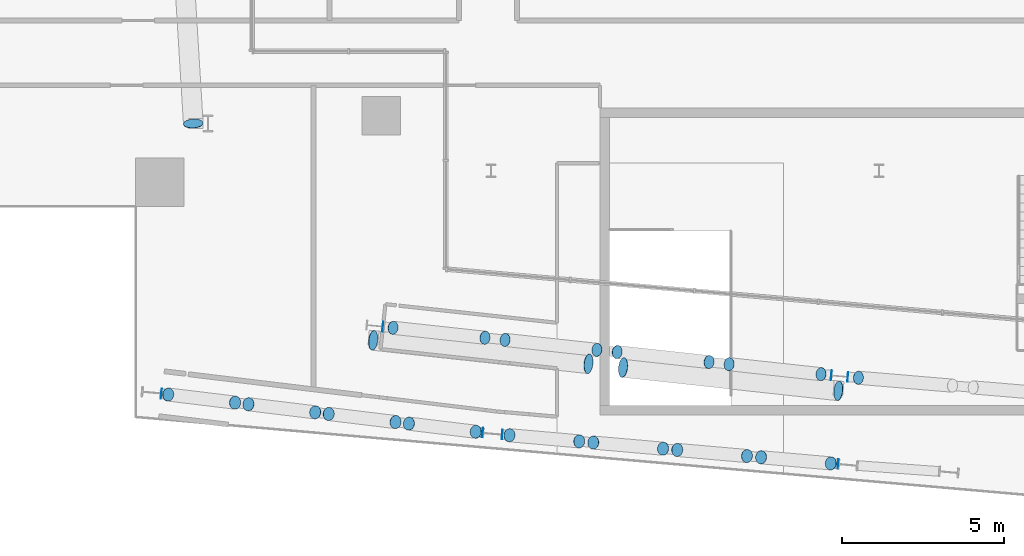
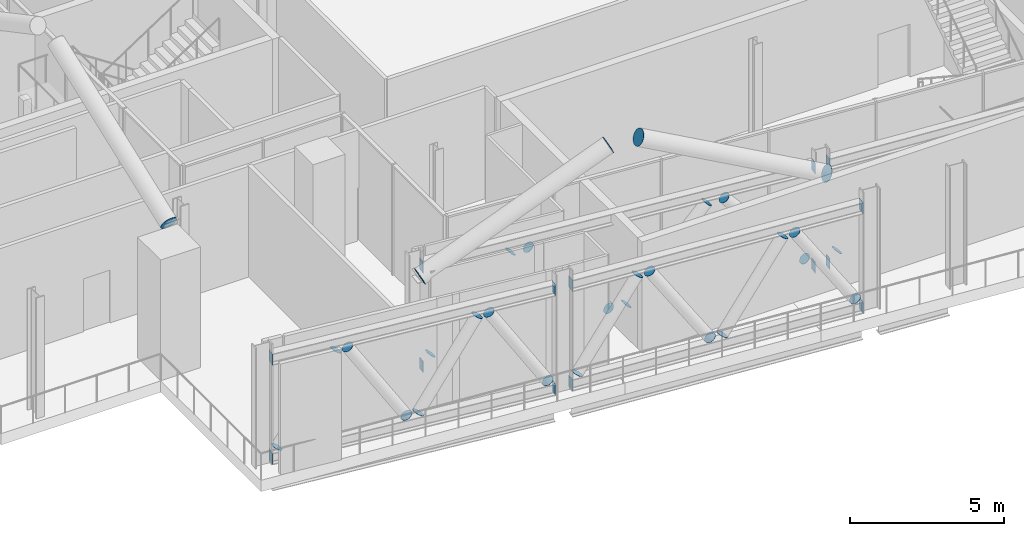
# One storey, part 20 of 35: 44 discrete accessories.
"""IFC4 building model written with IfcOpenShell, lengths in metres."""

from ifc_helpers import new_model, si_unit, direction, frame, origin, origin_2d, place, context, subcontext, project, spatial, rectangle, circle, extrude, material, material_profile, profile_set, type_object, element, save


model = new_model("IFC4")

# Units and contexts
model_context = context("Model", 3, precision=1e-05, world=origin(), true_north=direction((0.0, 1.0)))
body_context = subcontext(model_context, "Body", "Model", "MODEL_VIEW")
ifc_project = project(units=[si_unit("LENGTHUNIT", "METRE"), si_unit("AREAUNIT", "SQUARE_METRE"), si_unit("VOLUMEUNIT", "CUBIC_METRE"), si_unit("PLANEANGLEUNIT", "RADIAN"), si_unit("MASSUNIT", "GRAM", prefix="KILO")], contexts=[model_context])

# Site, building, storey
site_placement = place(None, origin())
site = spatial("IfcSite", under=ifc_project, at=site_placement, CompositionType="ELEMENT")
building_placement = place(site_placement, origin())
building = spatial("IfcBuilding", under=site, at=building_placement, Name="Wharfspan Tower", CompositionType="ELEMENT")
storey_placement = place(building_placement, frame((0.0, 0.0, 202.300049)))
storey = spatial("IfcBuildingStorey", under=building, at=storey_placement, Name="L50", CompositionType="ELEMENT", Elevation=202.300049)

# Discrete accessories
ifc_material_1 = material(Name="Steel S460NH", Category="steel")
ifc_material_profile_1 = material_profile(ifc_material_1, circle(Radius=0.203125, at=origin_2d()))
ifc_profile_set_1 = profile_set([ifc_material_profile_1], Name="Steel S460NH")
discrete_accessory_type_1 = type_object("IfcDiscreteAccessoryType", Name="End plate CHS 406x16", PredefinedType="BRACKET", material=ifc_profile_set_1)
for number, where, z_axis, x_axis, name in (
    (1, (20.96167, 6.640869, 0.576904), (0.655039, -0.072782, 0.752082), (0.11043, 0.993882, 1e-06), "End plate CHS 406x16"),
    (2, (23.804199, 6.332764, 3.81543), (0.655039, -0.072782, 0.752082), (0.11043, 0.993882, 1e-06), "End plate CHS 406x16"),
    (3, (24.428711, 6.265137, 3.822998), (0.655039, -0.072782, -0.752082), (0.11043, 0.993882, -1e-06), "End plate CHS 406x16"),
    (4, (27.27124, 5.957031, 0.584473), (0.655039, -0.072782, -0.752082), (0.11043, 0.993882, -1e-06), "End plate CHS 406x16"),
    (5, (27.895752, 5.889404, 0.576904), (0.655039, -0.072782, 0.752082), (0.11043, 0.993882, 1e-06), "End plate CHS 406x16"),
    (6, (30.738281, 5.581299, 3.81543), (0.655039, -0.072782, 0.752082), (0.11043, 0.993882, 1e-06), "End plate CHS 406x16"),
    (7, (31.362793, 5.513672, 3.822998), (0.655039, -0.072782, -0.752082), (0.11043, 0.993882, -1e-06), "End plate CHS 406x16"),
    (8, (34.205322, 5.205566, 0.584473), (0.656005, -0.048593, -0.753191), (0.073872, 0.997271, 0.0), "End plate CHS 406x16"),
    (9, (35.36084, 5.094482, 0.578613), (0.656005, -0.048593, 0.753191), (0.073872, 0.997271, 0.0), "End plate CHS 406x16"),
    (10, (14.003174, 4.575439, 0.550293), (0.541767, -0.073877, 0.837276), (0.135113, 0.990833, 0.0), "End plate CHS 406x16"),
    (11, (16.072021, 4.324951, 3.841309), (0.54259, -0.049326, 0.838548), (0.090535, 0.995892, 0.0), "End plate CHS 406x16"),
    (12, (16.486328, 4.274902, 3.849609), (0.541767, -0.073877, -0.837276), (0.135113, 0.990833, 0.0), "End plate CHS 406x16"),
    (13, (18.555176, 4.024658, 0.558594), (0.541767, -0.073877, -0.837276), (0.135113, 0.990833, 0.0), "End plate CHS 406x16"),
    (14, (18.969482, 3.974365, 0.550293), (0.54259, -0.049326, 0.838548), (0.090535, 0.995892, 0.0), "End plate CHS 406x16"),
    (15, (21.03833, 3.724121, 3.841309), (0.541767, -0.073877, 0.837276), (0.135113, 0.990833, 0.0), "End plate CHS 406x16"),
    (16, (21.452637, 3.674072, 3.849609), (0.541767, -0.073877, -0.837276), (0.135113, 0.990833, 0.0), "End plate CHS 406x16"),
    (17, (23.521484, 3.423584, 0.558594), (0.54259, -0.049326, -0.838548), (0.090535, 0.995892, 0.0), "End plate CHS 406x16"),
    (18, (24.563965, 3.315186, 0.553467), (0.54259, -0.049326, 0.838548), (0.090535, 0.995892, 0.0), "End plate CHS 406x16"),
    (19, (26.722168, 3.126221, 3.838135), (0.559645, -0.048665, 0.827302), (0.086627, 0.99624, 2e-06), "End plate CHS 406x16"),
    (20, (27.159424, 3.087891, 3.846436), (0.559645, -0.048665, -0.827302), (0.086627, 0.99624, -2e-06), "End plate CHS 406x16"),
    (21, (29.317871, 2.89917, 0.561768), (0.54259, -0.049326, -0.838548), (0.090535, 0.995892, 0.0), "End plate CHS 406x16"),
    (22, (29.755127, 2.86084, 0.553467), (0.54259, -0.049326, 0.838548), (0.090535, 0.995892, 0.0), "End plate CHS 406x16"),
    (23, (31.91333, 2.672119, 3.838135), (0.559645, -0.048665, 0.827302), (0.086627, 0.99624, 2e-06), "End plate CHS 406x16"),
    (24, (32.350586, 2.633789, 3.846436), (0.559645, -0.048665, -0.827302), (0.086627, 0.99624, -2e-06), "End plate CHS 406x16"),
    (25, (34.509033, 2.445068, 0.561768), (0.54259, -0.049326, -0.838548), (0.090535, 0.995892, 0.0), "End plate CHS 406x16"),
):
    element("IfcDiscreteAccessory", number, at=place(storey_placement, frame(where, z_axis=z_axis, x_axis=x_axis)), inside=storey, type_object=discrete_accessory_type_1, Name=name, PredefinedType="BRACKET", context=body_context, shape_type="SweptSolid", body=[
        extrude(circle(Radius=0.203125, at=origin_2d()), origin(), (0.0, 0.0, 1.0), 0.01001),
    ])
ifc_material_profile_2 = material_profile(ifc_material_1, circle(Radius=0.304932, at=origin_2d()))
ifc_profile_set_2 = profile_set([ifc_material_profile_2], Name="Steel S460NH")
discrete_accessory_type_2 = type_object("IfcDiscreteAccessoryType", Name="End plate CHS 610x25", PredefinedType="BRACKET", material=ifc_profile_set_2)
discrete_accessory_1_placement = place(storey_placement, frame((20.34375, 6.250244, 4.095459), z_axis=(0.890043, -0.098894, 0.445021), x_axis=(0.110431, 0.99388, 1e-06)))
element("IfcDiscreteAccessory", 26, at=discrete_accessory_1_placement, inside=storey, type_object=discrete_accessory_type_2, Name="End plate CHS 610x25", PredefinedType="BRACKET", context=body_context, shape_type="SweptSolid", body=[
    extrude(circle(Radius=0.304932, at=origin_2d()), origin(), (0.0, 0.0, 1.0), 0.009766),
])
for number, where, z_axis, x_axis, name in (
    (27, (27.005371, 5.52832, 7.428955), (0.895016, -0.096758, 0.435413), (0.107482, 0.994209, -1e-06), "End plate CHS 610x25"),
    (28, (34.750732, 4.688965, 4.095459), (-0.895016, 0.096758, 0.435413), (-0.107482, -0.994209, -1e-06), "End plate CHS 610x25"),
):
    element("IfcDiscreteAccessory", number, at=place(storey_placement, frame(where, z_axis=z_axis, x_axis=x_axis)), inside=storey, type_object=discrete_accessory_type_2, Name=name, PredefinedType="BRACKET", context=body_context, shape_type="SweptSolid", body=[
        extrude(circle(Radius=0.304932, at=origin_2d()), origin(), (0.0, 0.0, 1.0), 0.01001),
    ])
for number, where, z_axis, x_axis, name in (
    (29, (28.088867, 5.410889, 7.428955), (-0.890043, 0.098894, 0.445021), (-0.110431, -0.99388, 1e-06), "End plate CHS 610x25"),
    (30, (14.783203, 12.95459, 4.095459), (-0.049629, 0.893325, 0.446663), (-0.998463, -0.05547, 0.0), "End plate CHS 610x25"),
):
    element("IfcDiscreteAccessory", number, at=place(storey_placement, frame(where, z_axis=z_axis, x_axis=x_axis)), inside=storey, type_object=discrete_accessory_type_2, Name=name, PredefinedType="BRACKET", context=body_context, shape_type="SweptSolid", body=[
        extrude(circle(Radius=0.304932, at=origin_2d()), origin(), (0.0, 0.0, 1.0), 0.009766),
    ])
ifc_material_2 = material(Name="Steel S355J2", Category="steel")
ifc_material_profile_3 = material_profile(ifc_material_2, rectangle(XDim=0.300049, YDim=0.449951, at=origin_2d()))
ifc_profile_set_3 = profile_set([ifc_material_profile_3], Name="Steel S355J2")
discrete_accessory_type_3 = type_object("IfcDiscreteAccessoryType", Name="End plate HEB 450", PredefinedType="BRACKET", material=ifc_profile_set_3)
for number, where, z_axis, x_axis, name in (
    (31, (20.642822, 6.675293, 4.175049), (0.995275, -0.0971, 0.0), (0.0971, 0.995275, 0.0), "End plate HEB 450"),
    (32, (34.520752, 5.171387, 4.175049), (0.995275, -0.0971, 0.0), (0.0971, 0.995275, 0.0), "End plate HEB 450"),
    (33, (20.642822, 6.675293, 0.224854), (0.995275, -0.0971, 0.0), (0.0971, 0.995275, 0.0), "End plate HEB 450"),
    (34, (34.520752, 5.171387, 0.224854), (0.995275, -0.0971, 0.0), (0.0971, 0.995275, 0.0), "End plate HEB 450"),
    (35, (35.032471, 5.12207, 4.175049), (0.997334, -0.072976, 0.0), (0.072976, 0.997334, 0.0), "End plate HEB 450"),
    (36, (35.032471, 5.12207, 0.224854), (0.997334, -0.072976, 0.0), (0.072976, 0.997334, 0.0), "End plate HEB 450"),
):
    element("IfcDiscreteAccessory", number, at=place(storey_placement, frame(where, z_axis=z_axis, x_axis=x_axis)), inside=storey, type_object=discrete_accessory_type_3, Name=name, PredefinedType="BRACKET", context=body_context, shape_type="SweptSolid", body=[
        extrude(rectangle(XDim=0.300049, YDim=0.449951, at=origin_2d()), origin(), (0.0, 0.0, 1.0), 0.01001),
    ])
discrete_accessory_2_placement = place(storey_placement, frame((13.788818, 4.601318, 4.175049), z_axis=(0.992278, -0.124035, 0.0), x_axis=(0.124035, 0.992278, 0.0)))
element("IfcDiscreteAccessory", 37, at=discrete_accessory_2_placement, inside=storey, type_object=discrete_accessory_type_3, Name="End plate HEB 450", PredefinedType="BRACKET", context=body_context, shape_type="SweptSolid", body=[
    extrude(rectangle(XDim=0.300049, YDim=0.449951, at=origin_2d()), origin(), (0.0, 0.0, 1.0), 0.009766),
])
discrete_accessory_3_placement = place(storey_placement, frame((23.731201, 3.398193, 4.175049), z_axis=(0.992646, -0.121054, 0.0), x_axis=(0.121054, 0.992646, 0.0)))
element("IfcDiscreteAccessory", 38, at=discrete_accessory_3_placement, inside=storey, type_object=discrete_accessory_type_3, Name="End plate HEB 450", PredefinedType="BRACKET", context=body_context, shape_type="SweptSolid", body=[
    extrude(rectangle(XDim=0.300049, YDim=0.449951, at=origin_2d()), origin(), (0.0, 0.0, 1.0), 0.01001),
])
discrete_accessory_4_placement = place(storey_placement, frame((13.788818, 4.601318, 0.224854), z_axis=(0.992278, -0.124035, 0.0), x_axis=(0.124035, 0.992278, 0.0)))
element("IfcDiscreteAccessory", 39, at=discrete_accessory_4_placement, inside=storey, type_object=discrete_accessory_type_3, Name="End plate HEB 450", PredefinedType="BRACKET", context=body_context, shape_type="SweptSolid", body=[
    extrude(rectangle(XDim=0.300049, YDim=0.449951, at=origin_2d()), origin(), (0.0, 0.0, 1.0), 0.009766),
])
for number, where, z_axis, x_axis, name in (
    (40, (23.731201, 3.398193, 0.224854), (0.992646, -0.121054, 0.0), (0.121054, 0.992646, 0.0), "End plate HEB 450"),
    (41, (24.338135, 3.334717, 4.175049), (0.997334, -0.072976, 0.0), (0.072976, 0.997334, 0.0), "End plate HEB 450"),
    (42, (34.730469, 2.425537, 4.175049), (0.997334, -0.072976, 0.0), (0.072976, 0.997334, 0.0), "End plate HEB 450"),
    (43, (24.338135, 3.334717, 0.224854), (0.997334, -0.072976, 0.0), (0.072976, 0.997334, 0.0), "End plate HEB 450"),
    (44, (34.730469, 2.425537, 0.224854), (0.997334, -0.072976, 0.0), (0.072976, 0.997334, 0.0), "End plate HEB 450"),
):
    element("IfcDiscreteAccessory", number, at=place(storey_placement, frame(where, z_axis=z_axis, x_axis=x_axis)), inside=storey, type_object=discrete_accessory_type_3, Name=name, PredefinedType="BRACKET", context=body_context, shape_type="SweptSolid", body=[
        extrude(rectangle(XDim=0.300049, YDim=0.449951, at=origin_2d()), origin(), (0.0, 0.0, 1.0), 0.01001),
    ])

save(model, "model.ifc")
